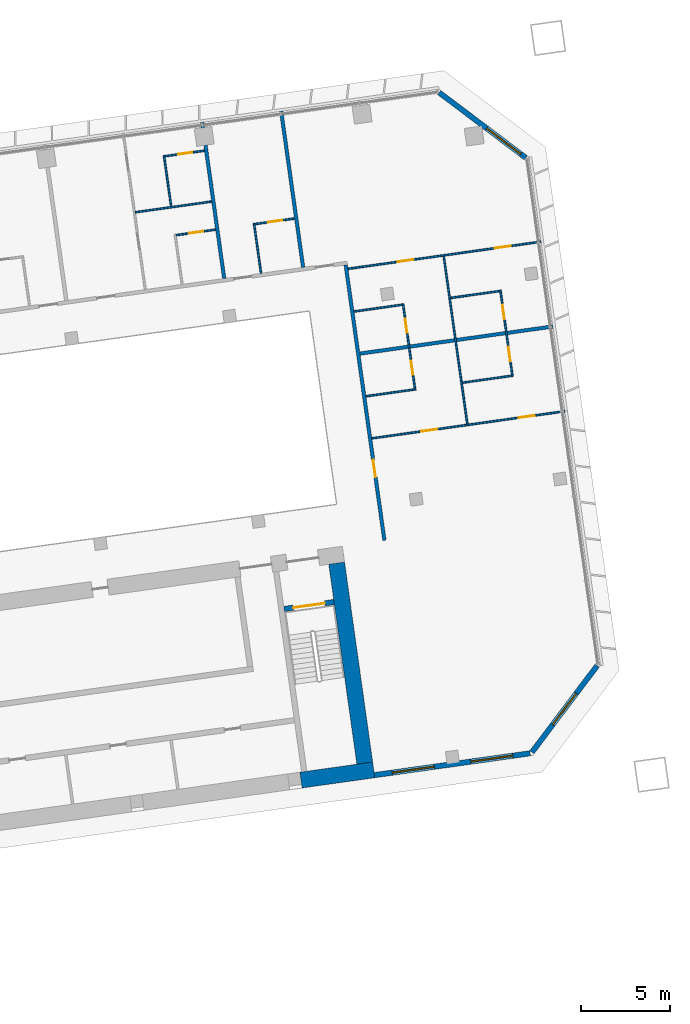
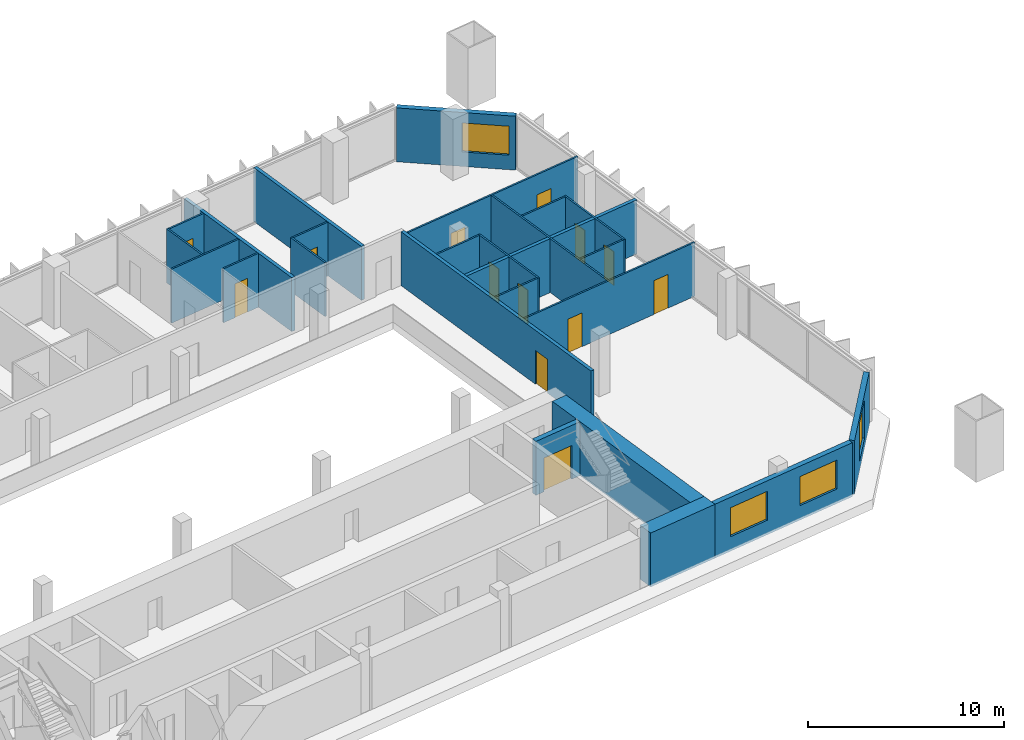
# One storey, part 22 of 25: 25 walls, 13 doors, 4 windows, 17 openings.
"""IFC4 building model written with IfcOpenShell, lengths in metres."""

from ifc_helpers import new_model, si_unit, direction, frame, frame_2d, origin, place, context, subcontext, project, spatial, rectangle, extrude, material, layer, layer_set, type_object, element, fill, save


model = new_model("IFC4")

# Units and contexts
model_context = context("Model", 3, precision=1e-05, world=origin(), true_north=direction((0.0, 1.0)))
body_context = subcontext(model_context, "Body", "Model", "MODEL_VIEW")
ifc_project = project(units=[si_unit("LENGTHUNIT", "METRE"), si_unit("AREAUNIT", "SQUARE_METRE"), si_unit("VOLUMEUNIT", "CUBIC_METRE"), si_unit("PLANEANGLEUNIT", "RADIAN"), si_unit("MASSUNIT", "GRAM", prefix="KILO")], contexts=[model_context])

# Site, building, storey
site_placement = place(None, origin())
site = spatial("IfcSite", under=ifc_project, at=site_placement, CompositionType="ELEMENT")
building_placement = place(site_placement, origin())
building = spatial("IfcBuilding", under=site, at=building_placement, Name="Mirante Cascada Hotel Towers", CompositionType="ELEMENT")
storey_placement = place(building_placement, frame((0.0, 0.0, 62.3)))
storey = spatial("IfcBuildingStorey", under=building, at=storey_placement, Name="L12", CompositionType="ELEMENT", Elevation=62.3)

# Walls
ifc_material_1 = material(Name="Fire-rated plasterboard on metal studs")
ifc_layer_1 = layer(ifc_material_1, 0.2)
ifc_layer_set_1 = layer_set([ifc_layer_1], Name="Compartment wall 200 EI 120")
wall_type_1 = type_object("IfcWallType", Name="Compartment wall 200 EI 120", PredefinedType="PARTITIONING", material=ifc_layer_set_1)
wall_1_placement = place(storey_placement, frame((89.7337, 11.2758, 0.0), z_axis=(0.0, 0.0, 1.0), x_axis=(0.990268, 0.1391733, 0.0)))
element("IfcWall", 1, at=wall_1_placement, inside=storey, type_object=wall_type_1, Name="Wall 2-L12-13", PredefinedType="PARTITIONING", context=body_context, shape_type="SweptSolid", body=[
    extrude(rectangle(XDim=11.0, YDim=0.2, at=frame_2d((5.5, 0.0))), origin(), (0.0, 0.0, 1.0), 3.35),
])
wall_2_placement = place(storey_placement, frame((80.8302, 24.3304, 0.0), z_axis=(0.0, 0.0, 1.0), x_axis=(0.13917, -0.9902685, 0.0)))
element("IfcWall", 2, at=wall_2_placement, inside=storey, type_object=wall_type_1, Name="Wall 2-L12-56", PredefinedType="PARTITIONING", context=body_context, shape_type="SweptSolid", body=[
    extrude(rectangle(XDim=8.8999, YDim=0.2, at=frame_2d((4.45, 0.0))), origin(), (0.0, 0.0, 1.0), 3.35),
])
wall_3_placement = place(storey_placement, frame((85.2864, 24.9567, 0.0), z_axis=(0.0, 0.0, 1.0), x_axis=(0.1391684, -0.9902687, 0.0)))
element("IfcWall", 3, at=wall_3_placement, inside=storey, type_object=wall_type_1, Name="Wall 2-L12-58", PredefinedType="PARTITIONING", context=body_context, shape_type="SweptSolid", body=[
    extrude(rectangle(XDim=8.9, YDim=0.2, at=frame_2d((4.45, 0.0))), origin(), (0.0, 0.0, 1.0), 3.35),
])

# Wall, opening, door
wall_4_placement = place(storey_placement, frame((91.1145, 0.7321, 0.0), z_axis=(0.0, 0.0, 1.0), x_axis=(-0.1391721, 0.9902682, 0.0)))
wall_4 = element("IfcWall", 4, at=wall_4_placement, inside=storey, type_object=wall_type_1, Name="Wall 2-L12-59", PredefinedType="PARTITIONING", context=body_context, shape_type="SweptSolid", body=[
    extrude(rectangle(XDim=15.7, YDim=0.2, at=frame_2d((7.85, 0.0))), origin(), (0.0, 0.0, 1.0), 3.35),
])
opening_1_placement = place(wall_4_placement, frame((3.6, 0.0, 0.0)))
opening_1 = element("IfcOpeningElement", 5, at=opening_1_placement, cuts=wall_4, Name="Opening D2-L12-38", PredefinedType="OPENING", context=body_context, shape_type="SweptSolid", body=[
    extrude(rectangle(XDim=1.0, YDim=2.1, at=frame_2d((0.5, 1.05))), frame((0.0, 0.1, 0.0), z_axis=(0.0, -1.0, 0.0), x_axis=(1.0, 0.0, 0.0)), (0.0, 0.0, 1.0), 0.2),
])
ifc_material_2 = material(Name="Fire-rated timber door leaf", Category="wood")
door_type_1 = type_object("IfcDoorType", Name="Entrance door DG1 1000x2100 EI 60", OperationType="SINGLE_SWING_LEFT", PredefinedType="DOOR", material=ifc_material_2)
door_1_placement = place(opening_1_placement, frame((1.0, 0.0, 0.0), z_axis=(0.0, 0.0, 1.0), x_axis=(-1.0, 0.0, 0.0)))
door_1 = element("IfcDoor", 6, at=door_1_placement, inside=storey, type_object=door_type_1, Name="Door D2-L12-38", OperationType="SINGLE_SWING_RIGHT", OverallHeight=2.1, OverallWidth=1.0, PredefinedType="DOOR", context=body_context, shape_type="SweptSolid", body=[
    extrude(rectangle(XDim=1.0, YDim=2.1, at=frame_2d((0.5, 1.05))), frame((0.0, 0.025, 0.0), z_axis=(0.0, -1.0, 0.0), x_axis=(1.0, 0.0, 0.0)), (0.0, 0.0, 1.0), 0.05),
])
fill(opening_1, door_1)

# Wall, openings, doors
ifc_material_3 = material(Name="Plasterboard on metal studs")
ifc_layer_2 = layer(ifc_material_3, 0.1)
ifc_layer_set_2 = layer_set([ifc_layer_2], Name="Partition 100")
wall_type_2 = type_object("IfcWallType", Name="Partition 100", PredefinedType="PARTITIONING", material=ifc_layer_set_2)
wall_5_placement = place(storey_placement, frame((90.4064, 6.4896, 0.0), z_axis=(0.0, 0.0, 1.0), x_axis=(0.990268, 0.1391733, 0.0)))
wall_5 = element("IfcWall", 7, at=wall_5_placement, inside=storey, type_object=wall_type_2, Name="Wall 2-L12-07", PredefinedType="PARTITIONING", context=body_context, shape_type="SweptSolid", body=[
    extrude(rectangle(XDim=11.0, YDim=0.1, at=frame_2d((5.5, 0.0))), origin(), (0.0, 0.0, 1.0), 3.35),
])
opening_2_placement = place(wall_5_placement, frame((2.825, 0.0, 0.0)))
opening_2 = element("IfcOpeningElement", 8, at=opening_2_placement, cuts=wall_5, Name="Opening D2-L12-02", PredefinedType="OPENING", context=body_context, shape_type="SweptSolid", body=[
    extrude(rectangle(XDim=0.9, YDim=2.1, at=frame_2d((0.45, 1.05))), frame((0.0, 0.05, 0.0), z_axis=(0.0, -1.0, 0.0), x_axis=(1.0, 0.0, 0.0)), (0.0, 0.0, 1.0), 0.1),
])
opening_3_placement = place(wall_5_placement, frame((8.375, 0.0, 0.0)))
opening_3 = element("IfcOpeningElement", 9, at=opening_3_placement, cuts=wall_5, Name="Opening D2-L12-03", PredefinedType="OPENING", context=body_context, shape_type="SweptSolid", body=[
    extrude(rectangle(XDim=0.9, YDim=2.1, at=frame_2d((0.45, 1.05))), frame((0.0, 0.05, 0.0), z_axis=(0.0, -1.0, 0.0), x_axis=(1.0, 0.0, 0.0)), (0.0, 0.0, 1.0), 0.1),
])
ifc_material_4 = material(Name="Timber door leaf", Category="wood")
door_type_2 = type_object("IfcDoorType", Name="Room door DG3 900x2100", OperationType="SINGLE_SWING_LEFT", PredefinedType="DOOR", material=ifc_material_4)
door_2_placement = place(opening_2_placement, frame((0.9, 0.0, 0.0), z_axis=(0.0, 0.0, 1.0), x_axis=(-1.0, 0.0, 0.0)))
door_2 = element("IfcDoor", 10, at=door_2_placement, inside=storey, type_object=door_type_2, Name="Door D2-L12-02", OperationType="SINGLE_SWING_RIGHT", OverallHeight=2.1, OverallWidth=0.9, PredefinedType="DOOR", context=body_context, shape_type="SweptSolid", body=[
    extrude(rectangle(XDim=0.9, YDim=2.1, at=frame_2d((0.45, 1.05))), frame((0.0, 0.025, 0.0), z_axis=(0.0, -1.0, 0.0), x_axis=(1.0, 0.0, 0.0)), (0.0, 0.0, 1.0), 0.05),
])
fill(opening_2, door_2)
door_3_placement = place(opening_3_placement, frame((0.9, 0.0, 0.0), z_axis=(0.0, 0.0, 1.0), x_axis=(-1.0, 0.0, 0.0)))
door_3 = element("IfcDoor", 11, at=door_3_placement, inside=storey, type_object=door_type_2, Name="Door D2-L12-03", OperationType="SINGLE_SWING_RIGHT", OverallHeight=2.1, OverallWidth=0.9, PredefinedType="DOOR", context=body_context, shape_type="SweptSolid", body=[
    extrude(rectangle(XDim=0.9, YDim=2.1, at=frame_2d((0.45, 1.05))), frame((0.0, 0.025, 0.0), z_axis=(0.0, -1.0, 0.0), x_axis=(1.0, 0.0, 0.0)), (0.0, 0.0, 1.0), 0.05),
])
fill(opening_3, door_3)

# Walls
wall_6_placement = place(storey_placement, frame((92.7956, 9.2489, 0.0), z_axis=(0.0, 0.0, 1.0), x_axis=(-0.9902698, -0.1391607, 0.0)))
element("IfcWall", 12, at=wall_6_placement, inside=storey, type_object=wall_type_2, Name="Wall 2-L12-10", PredefinedType="PARTITIONING", context=body_context, shape_type="SweptSolid", body=[
    extrude(rectangle(XDim=2.7501, YDim=0.1, at=frame_2d((1.3751, 0.0))), origin(), (0.0, 0.0, 1.0), 3.35),
])
wall_7_placement = place(storey_placement, frame((95.5188, 9.6317, 0.0), z_axis=(0.0, 0.0, 1.0), x_axis=(0.9902726, 0.139141, 0.0)))
element("IfcWall", 13, at=wall_7_placement, inside=storey, type_object=wall_type_2, Name="Wall 2-L12-11", PredefinedType="PARTITIONING", context=body_context, shape_type="SweptSolid", body=[
    extrude(rectangle(XDim=2.8, YDim=0.1, at=frame_2d((1.4, 0.0))), origin(), (0.0, 0.0, 1.0), 3.35),
])
wall_8_placement = place(storey_placement, frame((92.1229, 14.0352, 0.0), z_axis=(0.0, 0.0, 1.0), x_axis=(-0.9902691, -0.1391657, 0.0)))
element("IfcWall", 14, at=wall_8_placement, inside=storey, type_object=wall_type_2, Name="Wall 2-L12-14", PredefinedType="PARTITIONING", context=body_context, shape_type="SweptSolid", body=[
    extrude(rectangle(XDim=2.75, YDim=0.1, at=frame_2d((1.375, 0.0))), origin(), (0.0, 0.0, 1.0), 3.35),
])
wall_9_placement = place(storey_placement, frame((94.8461, 14.4179, 0.0), z_axis=(0.0, 0.0, 1.0), x_axis=(0.9902677, 0.139176, 0.0)))
element("IfcWall", 15, at=wall_9_placement, inside=storey, type_object=wall_type_2, Name="Wall 2-L12-15", PredefinedType="PARTITIONING", context=body_context, shape_type="SweptSolid", body=[
    extrude(rectangle(XDim=2.8001, YDim=0.1, at=frame_2d((1.4, 0.0))), origin(), (0.0, 0.0, 1.0), 3.35),
])

# Wall, openings, doors
wall_10_placement = place(storey_placement, frame((99.954, 17.5931, 0.0), z_axis=(0.0, 0.0, 1.0), x_axis=(-0.9902682, -0.1391721, 0.0)))
wall_10 = element("IfcWall", 16, at=wall_10_placement, inside=storey, type_object=wall_type_2, Name="Wall 2-L12-16", PredefinedType="PARTITIONING", context=body_context, shape_type="SweptSolid", body=[
    extrude(rectangle(XDim=11.0001, YDim=0.1, at=frame_2d((5.5, 0.0))), origin(), (0.0, 0.0, 1.0), 3.35),
])
opening_4_placement = place(wall_10_placement, frame((7.275, 0.0, 0.0)))
opening_4 = element("IfcOpeningElement", 17, at=opening_4_placement, cuts=wall_10, Name="Opening D2-L12-06", PredefinedType="OPENING", context=body_context, shape_type="SweptSolid", body=[
    extrude(rectangle(XDim=0.9, YDim=2.1, at=frame_2d((0.45, 1.05))), frame((0.0, 0.05, 0.0), z_axis=(0.0, -1.0, 0.0), x_axis=(1.0, 0.0, 0.0)), (0.0, 0.0, 1.0), 0.1),
])
opening_5_placement = place(wall_10_placement, frame((1.725, 0.0, 0.0)))
opening_5 = element("IfcOpeningElement", 18, at=opening_5_placement, cuts=wall_10, Name="Opening D2-L12-07", PredefinedType="OPENING", context=body_context, shape_type="SweptSolid", body=[
    extrude(rectangle(XDim=0.9, YDim=2.1, at=frame_2d((0.45, 1.05))), frame((0.0, 0.05, 0.0), z_axis=(0.0, -1.0, 0.0), x_axis=(1.0, 0.0, 0.0)), (0.0, 0.0, 1.0), 0.1),
])
door_4_placement = place(opening_4_placement, frame((0.9, 0.0, 0.0), z_axis=(0.0, 0.0, 1.0), x_axis=(-1.0, 0.0, 0.0)))
door_4 = element("IfcDoor", 19, at=door_4_placement, inside=storey, type_object=door_type_2, Name="Door D2-L12-06", OperationType="SINGLE_SWING_RIGHT", OverallHeight=2.1, OverallWidth=0.9, PredefinedType="DOOR", context=body_context, shape_type="SweptSolid", body=[
    extrude(rectangle(XDim=0.9, YDim=2.1, at=frame_2d((0.45, 1.05))), frame((0.0, 0.025, 0.0), z_axis=(0.0, -1.0, 0.0), x_axis=(1.0, 0.0, 0.0)), (0.0, 0.0, 1.0), 0.05),
])
fill(opening_4, door_4)
door_5_placement = place(opening_5_placement, frame((0.9, 0.0, 0.0), z_axis=(0.0, 0.0, 1.0), x_axis=(-1.0, 0.0, 0.0)))
door_5 = element("IfcDoor", 20, at=door_5_placement, inside=storey, type_object=door_type_2, Name="Door D2-L12-07", OperationType="SINGLE_SWING_RIGHT", OverallHeight=2.1, OverallWidth=0.9, PredefinedType="DOOR", context=body_context, shape_type="SweptSolid", body=[
    extrude(rectangle(XDim=0.9, YDim=2.1, at=frame_2d((0.45, 1.05))), frame((0.0, 0.025, 0.0), z_axis=(0.0, -1.0, 0.0), x_axis=(1.0, 0.0, 0.0)), (0.0, 0.0, 1.0), 0.05),
])
fill(opening_5, door_5)

# Wall, opening, door
wall_11_placement = place(storey_placement, frame((81.5801, 18.2759, 0.0), z_axis=(0.0, 0.0, 1.0), x_axis=(-0.9902643, -0.1391997, 0.0)))
wall_11 = element("IfcWall", 21, at=wall_11_placement, inside=storey, type_object=wall_type_2, Name="Wall 2-L12-22", PredefinedType="PARTITIONING", context=body_context, shape_type="SweptSolid", body=[
    extrude(rectangle(XDim=2.25, YDim=0.1, at=frame_2d((1.125, 0.0))), origin(), (0.0, 0.0, 1.0), 3.35),
])
opening_6_placement = place(wall_11_placement, frame((0.7, 0.0, 0.0)))
opening_6 = element("IfcOpeningElement", 22, at=opening_6_placement, cuts=wall_11, Name="Opening D2-L12-21", PredefinedType="OPENING", context=body_context, shape_type="SweptSolid", body=[
    extrude(rectangle(XDim=0.8, YDim=2.1, at=frame_2d((0.4, 1.05))), frame((0.0, 0.05, 0.0), z_axis=(0.0, -1.0, 0.0), x_axis=(1.0, 0.0, 0.0)), (0.0, 0.0, 1.0), 0.1),
])
ifc_material_5 = material(Name="Timber door leaf", Category="wood")
door_type_3 = type_object("IfcDoorType", Name="Bathroom door DG4 800x2100", OperationType="SINGLE_SWING_LEFT", PredefinedType="DOOR", material=ifc_material_5)
door_6_placement = place(opening_6_placement, origin())
door_6 = element("IfcDoor", 23, at=door_6_placement, inside=storey, type_object=door_type_3, Name="Door D2-L12-21", OperationType="SINGLE_SWING_LEFT", OverallHeight=2.1, OverallWidth=0.8, PredefinedType="DOOR", context=body_context, shape_type="SweptSolid", body=[
    extrude(rectangle(XDim=0.8, YDim=2.1, at=frame_2d((0.4, 1.05))), frame((0.0, 0.025, 0.0), z_axis=(0.0, -1.0, 0.0), x_axis=(1.0, 0.0, 0.0)), (0.0, 0.0, 1.0), 0.05),
])
fill(opening_6, door_6)

wall_12_placement = place(storey_placement, frame((83.8082, 18.589, 0.0), z_axis=(0.0, 0.0, 1.0), x_axis=(0.9902643, 0.1391997, 0.0)))
wall_12 = element("IfcWall", 24, at=wall_12_placement, inside=storey, type_object=wall_type_2, Name="Wall 2-L12-23", PredefinedType="PARTITIONING", context=body_context, shape_type="SweptSolid", body=[
    extrude(rectangle(XDim=2.25, YDim=0.1, at=frame_2d((1.125, 0.0))), origin(), (0.0, 0.0, 1.0), 3.35),
])
opening_7_placement = place(wall_12_placement, frame((0.75, 0.0, 0.0)))
opening_7 = element("IfcOpeningElement", 25, at=opening_7_placement, cuts=wall_12, Name="Opening D2-L12-22", PredefinedType="OPENING", context=body_context, shape_type="SweptSolid", body=[
    extrude(rectangle(XDim=0.8, YDim=2.1, at=frame_2d((0.4, 1.05))), frame((0.0, 0.05, 0.0), z_axis=(0.0, -1.0, 0.0), x_axis=(1.0, 0.0, 0.0)), (0.0, 0.0, 1.0), 0.1),
])
door_7_placement = place(opening_7_placement, origin())
door_7 = element("IfcDoor", 26, at=door_7_placement, inside=storey, type_object=door_type_3, Name="Door D2-L12-22", OperationType="SINGLE_SWING_LEFT", OverallHeight=2.1, OverallWidth=0.8, PredefinedType="DOOR", context=body_context, shape_type="SweptSolid", body=[
    extrude(rectangle(XDim=0.8, YDim=2.1, at=frame_2d((0.4, 1.05))), frame((0.0, 0.025, 0.0), z_axis=(0.0, -1.0, 0.0), x_axis=(1.0, 0.0, 0.0)), (0.0, 0.0, 1.0), 0.05),
])
fill(opening_7, door_7)

# Wall
wall_13_placement = place(storey_placement, frame((77.0498, 19.2549, 0.0), z_axis=(0.0, 0.0, 1.0), x_axis=(0.9902679, 0.1391745, 0.0)))
element("IfcWall", 27, at=wall_13_placement, inside=storey, type_object=wall_type_2, Name="Wall 2-L12-27", PredefinedType="PARTITIONING", context=body_context, shape_type="SweptSolid", body=[
    extrude(rectangle(XDim=4.3499, YDim=0.1, at=frame_2d((2.175, 0.0))), origin(), (0.0, 0.0, 1.0), 3.35),
])

# Wall, opening, door
wall_14_placement = place(storey_placement, frame((80.9538, 22.7321, 0.0), z_axis=(0.0, 0.0, 1.0), x_axis=(-0.9902705, -0.1391561, 0.0)))
wall_14 = element("IfcWall", 28, at=wall_14_placement, inside=storey, type_object=wall_type_2, Name="Wall 2-L12-30", PredefinedType="PARTITIONING", context=body_context, shape_type="SweptSolid", body=[
    extrude(rectangle(XDim=2.25, YDim=0.1, at=frame_2d((1.125, 0.0))), origin(), (0.0, 0.0, 1.0), 3.35),
])
opening_8_placement = place(wall_14_placement, frame((0.7, 0.0, 0.0)))
opening_8 = element("IfcOpeningElement", 29, at=opening_8_placement, cuts=wall_14, Name="Opening D2-L12-25", PredefinedType="OPENING", context=body_context, shape_type="SweptSolid", body=[
    extrude(rectangle(XDim=0.8, YDim=2.1, at=frame_2d((0.4, 1.05))), frame((0.0, 0.05, 0.0), z_axis=(0.0, -1.0, 0.0), x_axis=(1.0, 0.0, 0.0)), (0.0, 0.0, 1.0), 0.1),
])
door_8_placement = place(opening_8_placement, origin())
door_8 = element("IfcDoor", 30, at=door_8_placement, inside=storey, type_object=door_type_3, Name="Door D2-L12-25", OperationType="SINGLE_SWING_LEFT", OverallHeight=2.1, OverallWidth=0.8, PredefinedType="DOOR", context=body_context, shape_type="SweptSolid", body=[
    extrude(rectangle(XDim=0.8, YDim=2.1, at=frame_2d((0.4, 1.05))), frame((0.0, 0.025, 0.0), z_axis=(0.0, -1.0, 0.0), x_axis=(1.0, 0.0, 0.0)), (0.0, 0.0, 1.0), 0.05),
])
fill(opening_8, door_8)

# Walls
wall_15_placement = place(storey_placement, frame((79.0729, 19.5897, 0.0), z_axis=(0.0, 0.0, 1.0), x_axis=(-0.1391714, 0.9902683, 0.0)))
element("IfcWall", 31, at=wall_15_placement, inside=storey, type_object=wall_type_2, Name="Wall 2-L12-55", PredefinedType="PARTITIONING", context=body_context, shape_type="SweptSolid", body=[
    extrude(rectangle(XDim=2.9, YDim=0.1, at=frame_2d((1.45, 0.0))), origin(), (0.0, 0.0, 1.0), 3.35),
])
wall_16_placement = place(storey_placement, frame((84.1484, 15.8093, 0.0), z_axis=(0.0, 0.0, 1.0), x_axis=(-0.1391909, 0.9902656, 0.0)))
element("IfcWall", 32, at=wall_16_placement, inside=storey, type_object=wall_type_2, Name="Wall 2-L12-57", PredefinedType="PARTITIONING", context=body_context, shape_type="SweptSolid", body=[
    extrude(rectangle(XDim=2.85, YDim=0.1, at=frame_2d((1.425, 0.0))), origin(), (0.0, 0.0, 1.0), 3.35),
])

# Wall, openings, doors
wall_17_placement = place(storey_placement, frame((92.1655, 14.0917, 0.0), z_axis=(0.0, 0.0, 1.0), x_axis=(0.1391564, -0.9902704, 0.0)))
wall_17 = element("IfcWall", 33, at=wall_17_placement, inside=storey, type_object=wall_type_2, Name="Wall 2-L12-60", PredefinedType="PARTITIONING", context=body_context, shape_type="SweptSolid", body=[
    extrude(rectangle(XDim=4.9333, YDim=0.1, at=frame_2d((2.4666, 0.0))), origin(), (0.0, 0.0, 1.0), 3.35),
])
opening_9_placement = place(wall_17_placement, frame((3.25, 0.0, 0.0)))
opening_9 = element("IfcOpeningElement", 34, at=opening_9_placement, cuts=wall_17, Name="Opening D2-L12-39", PredefinedType="OPENING", context=body_context, shape_type="SweptSolid", body=[
    extrude(rectangle(XDim=0.8, YDim=2.1, at=frame_2d((0.4, 1.05))), frame((0.0, 0.05, 0.0), z_axis=(0.0, -1.0, 0.0), x_axis=(1.0, 0.0, 0.0)), (0.0, 0.0, 1.0), 0.1),
])
opening_10_placement = place(wall_17_placement, frame((0.85, 0.0, 0.0)))
opening_10 = element("IfcOpeningElement", 35, at=opening_10_placement, cuts=wall_17, Name="Opening D2-L12-40", PredefinedType="OPENING", context=body_context, shape_type="SweptSolid", body=[
    extrude(rectangle(XDim=0.8, YDim=2.1, at=frame_2d((0.4, 1.05))), frame((0.0, 0.05, 0.0), z_axis=(0.0, -1.0, 0.0), x_axis=(1.0, 0.0, 0.0)), (0.0, 0.0, 1.0), 0.1),
])
door_9_placement = place(opening_9_placement, origin())
door_9 = element("IfcDoor", 36, at=door_9_placement, inside=storey, type_object=door_type_3, Name="Door D2-L12-39", OperationType="SINGLE_SWING_LEFT", OverallHeight=2.1, OverallWidth=0.8, PredefinedType="DOOR", context=body_context, shape_type="SweptSolid", body=[
    extrude(rectangle(XDim=0.8, YDim=2.1, at=frame_2d((0.4, 1.05))), frame((0.0, 0.025, 0.0), z_axis=(0.0, -1.0, 0.0), x_axis=(1.0, 0.0, 0.0)), (0.0, 0.0, 1.0), 0.05),
])
fill(opening_9, door_9)
door_10_placement = place(opening_10_placement, frame((0.8, 0.0, 0.0), z_axis=(0.0, 0.0, 1.0), x_axis=(-1.0, 0.0, 0.0)))
door_10 = element("IfcDoor", 37, at=door_10_placement, inside=storey, type_object=door_type_3, Name="Door D2-L12-40", OperationType="SINGLE_SWING_RIGHT", OverallHeight=2.1, OverallWidth=0.8, PredefinedType="DOOR", context=body_context, shape_type="SweptSolid", body=[
    extrude(rectangle(XDim=0.8, YDim=2.1, at=frame_2d((0.4, 1.05))), frame((0.0, 0.025, 0.0), z_axis=(0.0, -1.0, 0.0), x_axis=(1.0, 0.0, 0.0)), (0.0, 0.0, 1.0), 0.05),
])
fill(opening_10, door_10)

# Wall
wall_18_placement = place(storey_placement, frame((95.7964, 7.2976, 0.0), z_axis=(0.0, 0.0, 1.0), x_axis=(-0.1391805, 0.990267, 0.0)))
element("IfcWall", 38, at=wall_18_placement, inside=storey, type_object=wall_type_2, Name="Wall 2-L12-61", PredefinedType="PARTITIONING", context=body_context, shape_type="SweptSolid", body=[
    extrude(rectangle(XDim=9.5667, YDim=0.1, at=frame_2d((4.7834, 0.0))), origin(), (0.0, 0.0, 1.0), 3.35),
])

# Wall, openings, doors
wall_19_placement = place(storey_placement, frame((97.6615, 14.8641, 0.0), z_axis=(0.0, 0.0, 1.0), x_axis=(0.1391564, -0.9902704, 0.0)))
wall_19 = element("IfcWall", 39, at=wall_19_placement, inside=storey, type_object=wall_type_2, Name="Wall 2-L12-62", PredefinedType="PARTITIONING", context=body_context, shape_type="SweptSolid", body=[
    extrude(rectangle(XDim=4.9333, YDim=0.1, at=frame_2d((2.4666, 0.0))), origin(), (0.0, 0.0, 1.0), 3.35),
])
opening_11_placement = place(wall_19_placement, frame((3.25, 0.0, 0.0)))
opening_11 = element("IfcOpeningElement", 40, at=opening_11_placement, cuts=wall_19, Name="Opening D2-L12-41", PredefinedType="OPENING", context=body_context, shape_type="SweptSolid", body=[
    extrude(rectangle(XDim=0.8, YDim=2.1, at=frame_2d((0.4, 1.05))), frame((0.0, 0.05, 0.0), z_axis=(0.0, -1.0, 0.0), x_axis=(1.0, 0.0, 0.0)), (0.0, 0.0, 1.0), 0.1),
])
opening_12_placement = place(wall_19_placement, frame((0.85, 0.0, 0.0)))
opening_12 = element("IfcOpeningElement", 41, at=opening_12_placement, cuts=wall_19, Name="Opening D2-L12-42", PredefinedType="OPENING", context=body_context, shape_type="SweptSolid", body=[
    extrude(rectangle(XDim=0.8, YDim=2.1, at=frame_2d((0.4, 1.05))), frame((0.0, 0.05, 0.0), z_axis=(0.0, -1.0, 0.0), x_axis=(1.0, 0.0, 0.0)), (0.0, 0.0, 1.0), 0.1),
])
door_11_placement = place(opening_11_placement, origin())
door_11 = element("IfcDoor", 42, at=door_11_placement, inside=storey, type_object=door_type_3, Name="Door D2-L12-41", OperationType="SINGLE_SWING_LEFT", OverallHeight=2.1, OverallWidth=0.8, PredefinedType="DOOR", context=body_context, shape_type="SweptSolid", body=[
    extrude(rectangle(XDim=0.8, YDim=2.1, at=frame_2d((0.4, 1.05))), frame((0.0, 0.025, 0.0), z_axis=(0.0, -1.0, 0.0), x_axis=(1.0, 0.0, 0.0)), (0.0, 0.0, 1.0), 0.05),
])
fill(opening_11, door_11)
door_12_placement = place(opening_12_placement, frame((0.8, 0.0, 0.0), z_axis=(0.0, 0.0, 1.0), x_axis=(-1.0, 0.0, 0.0)))
door_12 = element("IfcDoor", 43, at=door_12_placement, inside=storey, type_object=door_type_3, Name="Door D2-L12-42", OperationType="SINGLE_SWING_RIGHT", OverallHeight=2.1, OverallWidth=0.8, PredefinedType="DOOR", context=body_context, shape_type="SweptSolid", body=[
    extrude(rectangle(XDim=0.8, YDim=2.1, at=frame_2d((0.4, 1.05))), frame((0.0, 0.025, 0.0), z_axis=(0.0, -1.0, 0.0), x_axis=(1.0, 0.0, 0.0)), (0.0, 0.0, 1.0), 0.05),
])
fill(opening_12, door_12)

# Wall, openings, windows
ifc_material_6 = material(Name="Precast concrete C40/50", Category="concrete")
ifc_layer_3 = layer(ifc_material_6, 0.3)
ifc_layer_set_3 = layer_set([ifc_layer_3], Name="Precast concrete C40/50 cladding wall 300")
wall_type_3 = type_object("IfcWallType", Name="Precast concrete C40/50 cladding wall 300", PredefinedType="STANDARD", material=ifc_layer_set_3)
wall_20_placement = place(storey_placement, frame((90.5541, -12.5249, 0.0), z_axis=(0.0, 0.0, 1.0), x_axis=(0.9902676, 0.1391765, 0.0)))
wall_20 = element("IfcWall", 44, at=wall_20_placement, inside=storey, type_object=wall_type_3, Name="Rear cladding wall T2 L12 1", PredefinedType="STANDARD", context=body_context, shape_type="SweptSolid", body=[
    extrude(rectangle(XDim=8.8758, YDim=0.3, at=frame_2d((4.4379, 0.0))), origin(), (0.0, 0.0, 1.0), 3.35),
])
opening_13_placement = place(wall_20_placement, frame((1.0012, 0.0, 0.9)))
opening_13 = element("IfcOpeningElement", 45, at=opening_13_placement, cuts=wall_20, Name="Opening W2-12-01", PredefinedType="OPENING", context=body_context, shape_type="SweptSolid", body=[
    extrude(rectangle(XDim=2.4, YDim=1.8, at=frame_2d((1.2, 0.9))), frame((0.0, 0.15, 0.0), z_axis=(0.0, -1.0, 0.0), x_axis=(1.0, 0.0, 0.0)), (0.0, 0.0, 1.0), 0.3),
])
opening_14_placement = place(wall_20_placement, frame((5.4923, 0.0, 0.9)))
opening_14 = element("IfcOpeningElement", 46, at=opening_14_placement, cuts=wall_20, Name="Opening W2-12-02", PredefinedType="OPENING", context=body_context, shape_type="SweptSolid", body=[
    extrude(rectangle(XDim=2.4, YDim=1.8, at=frame_2d((1.2, 0.9))), frame((0.0, 0.15, 0.0), z_axis=(0.0, -1.0, 0.0), x_axis=(1.0, 0.0, 0.0)), (0.0, 0.0, 1.0), 0.3),
])
ifc_material_7 = material(Name="Aluminium frame with clear double glazing", Category="aluminium")
window_type_1 = type_object("IfcWindowType", Name="Punched window 2400x1800", PartitioningType="DOUBLE_PANEL_VERTICAL", PredefinedType="WINDOW", material=ifc_material_7)
window_1_placement = place(opening_13_placement, origin())
window_1 = element("IfcWindow", 47, at=window_1_placement, inside=storey, type_object=window_type_1, Name="Window W2-12-01", OverallHeight=1.8, OverallWidth=2.4, PartitioningType="SINGLE_PANEL", PredefinedType="WINDOW", context=body_context, shape_type="SweptSolid", body=[
    extrude(rectangle(XDim=2.4, YDim=1.8, at=frame_2d((1.2, 0.9))), frame((0.0, 0.03, 0.0), z_axis=(0.0, -1.0, 0.0), x_axis=(1.0, 0.0, 0.0)), (0.0, 0.0, 1.0), 0.06),
])
fill(opening_13, window_1)
window_2_placement = place(opening_14_placement, origin())
window_2 = element("IfcWindow", 48, at=window_2_placement, inside=storey, type_object=window_type_1, Name="Window W2-12-02", OverallHeight=1.8, OverallWidth=2.4, PartitioningType="SINGLE_PANEL", PredefinedType="WINDOW", context=body_context, shape_type="SweptSolid", body=[
    extrude(rectangle(XDim=2.4, YDim=1.8, at=frame_2d((1.2, 0.9))), frame((0.0, 0.03, 0.0), z_axis=(0.0, -1.0, 0.0), x_axis=(1.0, 0.0, 0.0)), (0.0, 0.0, 1.0), 0.06),
])
fill(opening_14, window_2)

# Wall, opening, window
wall_21_placement = place(storey_placement, frame((99.4424, -11.2313, 0.0), z_axis=(0.0, 0.0, 1.0), x_axis=(0.6018194, 0.7986322, 0.0)))
wall_21 = element("IfcWall", 49, at=wall_21_placement, inside=storey, type_object=wall_type_3, Name="Corner cladding wall T2 L12 rear outer", PredefinedType="STANDARD", context=body_context, shape_type="SweptSolid", body=[
    extrude(rectangle(XDim=6.1155, YDim=0.3, at=frame_2d((3.0578, 0.0))), origin(), (0.0, 0.0, 1.0), 3.35),
])
opening_15_placement = place(wall_21_placement, frame((1.9576, 0.0, 0.6)))
opening_15 = element("IfcOpeningElement", 50, at=opening_15_placement, cuts=wall_21, Name="Opening W2-12-03", PredefinedType="OPENING", context=body_context, shape_type="SweptSolid", body=[
    extrude(rectangle(XDim=2.2, YDim=2.4, at=frame_2d((1.1, 1.2))), frame((0.0, 0.15, 0.0), z_axis=(0.0, -1.0, 0.0), x_axis=(1.0, 0.0, 0.0)), (0.0, 0.0, 1.0), 0.3),
])
ifc_material_8 = material(Name="Aluminium frame with clear double glazing", Category="aluminium")
window_type_2 = type_object("IfcWindowType", Name="Corner suite window 2200x2400", PartitioningType="DOUBLE_PANEL_VERTICAL", PredefinedType="WINDOW", material=ifc_material_8)
window_3_placement = place(opening_15_placement, origin())
window_3 = element("IfcWindow", 51, at=window_3_placement, inside=storey, type_object=window_type_2, Name="Window W2-12-03", OverallHeight=2.4, OverallWidth=2.2, PartitioningType="SINGLE_PANEL", PredefinedType="WINDOW", context=body_context, shape_type="SweptSolid", body=[
    extrude(rectangle(XDim=2.2, YDim=2.4, at=frame_2d((1.1, 1.2))), frame((0.0, 0.03, 0.0), z_axis=(0.0, -1.0, 0.0), x_axis=(1.0, 0.0, 0.0)), (0.0, 0.0, 1.0), 0.06),
])
fill(opening_15, window_3)

wall_22_placement = place(storey_placement, frame((99.0919, 22.3343, 0.0), z_axis=(0.0, 0.0, 1.0), x_axis=(-0.7986362, 0.6018141, 0.0)))
wall_22 = element("IfcWall", 52, at=wall_22_placement, inside=storey, type_object=wall_type_3, Name="Corner cladding wall T2 L12 outer front", PredefinedType="STANDARD", context=body_context, shape_type="SweptSolid", body=[
    extrude(rectangle(XDim=6.1157, YDim=0.3, at=frame_2d((3.0578, 0.0))), origin(), (0.0, 0.0, 1.0), 3.35),
])
opening_16_placement = place(wall_22_placement, frame((0.35, 0.0, 0.9)))
opening_16 = element("IfcOpeningElement", 53, at=opening_16_placement, cuts=wall_22, Name="Opening W2-12-06", PredefinedType="OPENING", context=body_context, shape_type="SweptSolid", body=[
    extrude(rectangle(XDim=2.4, YDim=1.8, at=frame_2d((1.2, 0.9))), frame((0.0, 0.15, 0.0), z_axis=(0.0, -1.0, 0.0), x_axis=(1.0, 0.0, 0.0)), (0.0, 0.0, 1.0), 0.3),
])
window_4_placement = place(opening_16_placement, origin())
window_4 = element("IfcWindow", 54, at=window_4_placement, inside=storey, type_object=window_type_1, Name="Window W2-12-06", OverallHeight=1.8, OverallWidth=2.4, PartitioningType="SINGLE_PANEL", PredefinedType="WINDOW", context=body_context, shape_type="SweptSolid", body=[
    extrude(rectangle(XDim=2.4, YDim=1.8, at=frame_2d((1.2, 0.9))), frame((0.0, 0.03, 0.0), z_axis=(0.0, -1.0, 0.0), x_axis=(1.0, 0.0, 0.0)), (0.0, 0.0, 1.0), 0.06),
])
fill(opening_16, window_4)

# Wall, opening, door
ifc_material_9 = material(Name="Concrete C50/60", Category="concrete")
ifc_layer_4 = layer(ifc_material_9, 0.3)
ifc_layer_set_4 = layer_set([ifc_layer_4], Name="RC core wall 300 C50/60")
wall_type_4 = type_object("IfcWallType", Name="RC core wall 300 C50/60", PredefinedType="SHEAR", material=ifc_layer_set_4)
wall_23_placement = place(storey_placement, frame((85.4489, -3.1441, 0.0), z_axis=(0.0, 0.0, 1.0), x_axis=(0.9902697, 0.1391613, 0.0)))
wall_23 = element("IfcWall", 55, at=wall_23_placement, inside=storey, type_object=wall_type_4, Name="Core wall T2:L12:11", PredefinedType="SHEAR", context=body_context, shape_type="SweptSolid", body=[
    extrude(rectangle(XDim=2.8499, YDim=0.3, at=frame_2d((1.425, 0.0))), origin(), (0.0, 0.0, 1.0), 3.35),
])
opening_17_placement = place(wall_23_placement, frame((0.525, 0.0, 0.0)))
opening_17 = element("IfcOpeningElement", 56, at=opening_17_placement, cuts=wall_23, Name="Opening D2-12-C17", PredefinedType="OPENING", context=body_context, shape_type="SweptSolid", body=[
    extrude(rectangle(XDim=1.8, YDim=2.1, at=frame_2d((0.9, 1.05))), frame((0.0, 0.15, 0.0), z_axis=(0.0, -1.0, 0.0), x_axis=(1.0, 0.0, 0.0)), (0.0, 0.0, 1.0), 0.3),
])
ifc_material_10 = material(Name="Hollow metal fire door leaf")
door_type_4 = type_object("IfcDoorType", Name="Double fire door 1800x2100 FD60", OperationType="DOUBLE_DOOR_SINGLE_SWING", PredefinedType="DOOR", material=ifc_material_10)
door_13_placement = place(opening_17_placement, frame((1.8, 0.0, 0.0), z_axis=(0.0, 0.0, 1.0), x_axis=(-1.0, 0.0, 0.0)))
door_13 = element("IfcDoor", 57, at=door_13_placement, inside=storey, type_object=door_type_4, Name="Stair door T2 L12 17", OperationType="DOUBLE_DOOR_SINGLE_SWING", OverallHeight=2.1, OverallWidth=1.8, PredefinedType="DOOR", context=body_context, shape_type="SweptSolid", body=[
    extrude(rectangle(XDim=0.895, YDim=2.1, at=frame_2d((0.4475, 1.05))), frame((0.0, 0.025, 0.0), z_axis=(0.0, -1.0, 0.0), x_axis=(1.0, 0.0, 0.0)), (0.0, 0.0, 1.0), 0.05),
    extrude(rectangle(XDim=0.895, YDim=2.1, at=frame_2d((1.3525, 1.05))), frame((0.0, 0.025, 0.0), z_axis=(0.0, -1.0, 0.0), x_axis=(1.0, 0.0, 0.0)), (0.0, 0.0, 1.0), 0.05),
])
fill(opening_17, door_13)

# Walls
ifc_material_11 = material(Name="Concrete C50/60", Category="concrete")
ifc_layer_5 = layer(ifc_material_11, 0.9)
ifc_layer_set_5 = layer_set([ifc_layer_5], Name="RC core wall 900 C50/60")
wall_type_5 = type_object("IfcWallType", Name="RC core wall 900 C50/60", PredefinedType="SHEAR", material=ifc_layer_set_5)
wall_24_placement = place(storey_placement, frame((86.4027, -12.8054, 0.0), z_axis=(0.0, 0.0, 1.0), x_axis=(0.990267, 0.139181, 0.0)))
element("IfcWall", 58, at=wall_24_placement, inside=storey, type_object=wall_type_5, Name="Core wall T2:L12:1.7", PredefinedType="SHEAR", context=body_context, shape_type="SweptSolid", body=[
    extrude(rectangle(XDim=4.15, YDim=0.9, at=frame_2d((2.075, 0.0))), origin(), (0.0, 0.0, 1.0), 3.35),
])
wall_25_placement = place(storey_placement, frame((90.0041, -11.8449, 0.0), z_axis=(0.0, 0.0, 1.0), x_axis=(-0.1391749, 0.9902678, 0.0)))
element("IfcWall", 59, at=wall_25_placement, inside=storey, type_object=wall_type_5, Name="Core wall T2:L12:4", PredefinedType="SHEAR", context=body_context, shape_type="SweptSolid", body=[
    extrude(rectangle(XDim=11.4, YDim=0.9, at=frame_2d((5.7, 0.0))), origin(), (0.0, 0.0, 1.0), 3.35),
])

save(model, "model.ifc")
